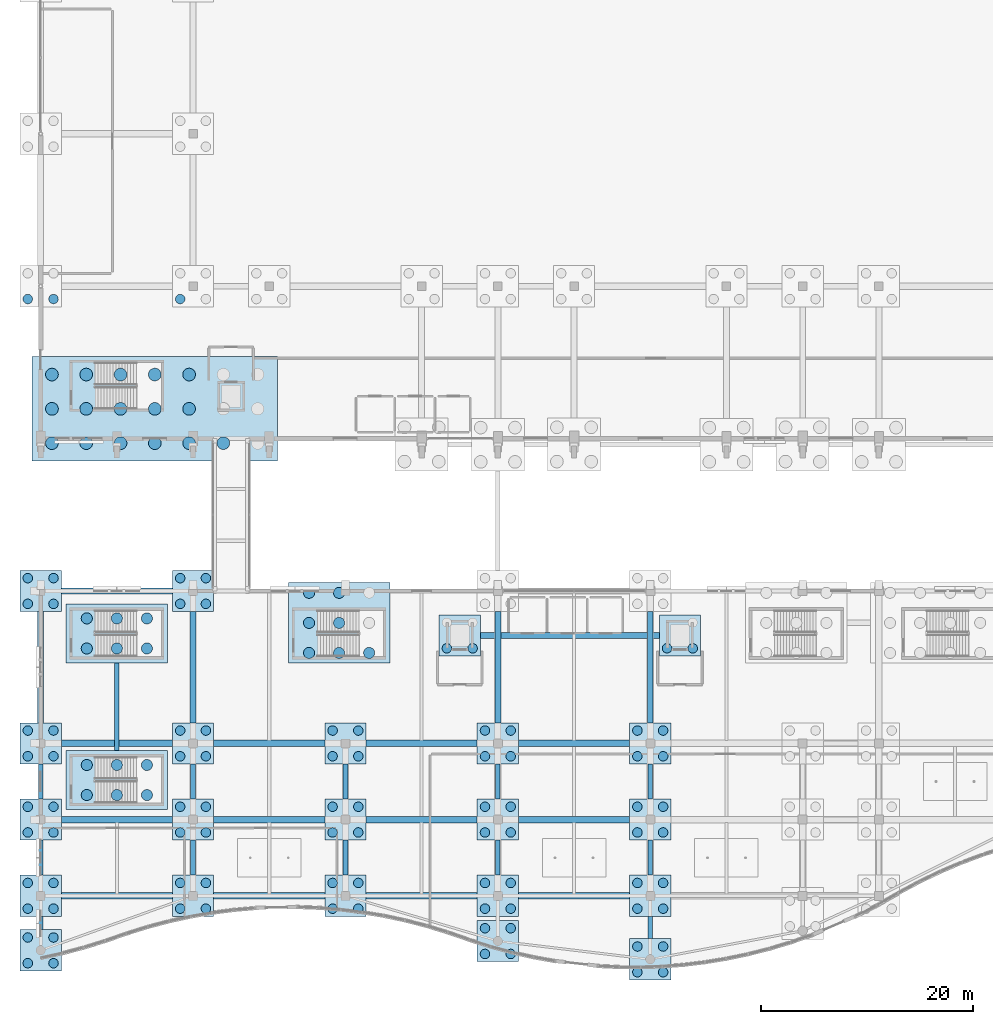
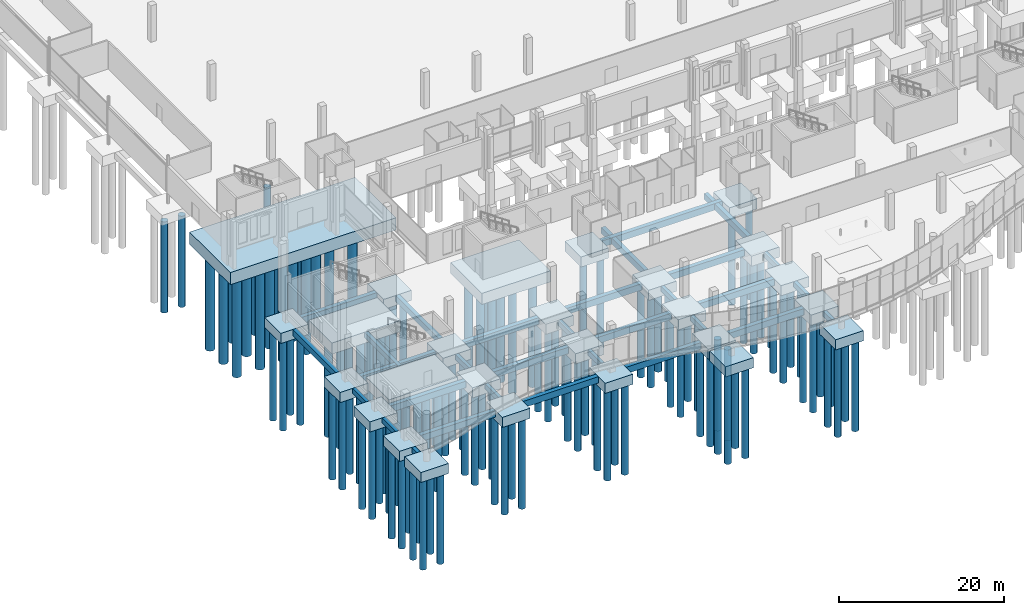
# One storey, part 1 of 192: 122 piles, 57 footings.
"""IFC4 building model written with IfcOpenShell, lengths in metres."""

from ifc_helpers import new_model, si_unit, direction, frame, origin, origin_2d, place, context, subcontext, project, spatial, rectangle, circle, extrude, material, material_profile, profile_set, type_object, element, save


model = new_model("IFC4")

# Units and contexts
model_context = context("Model", 3, precision=1e-05, world=origin(), true_north=direction((0.0, 1.0)))
body_context = subcontext(model_context, "Body", "Model", "MODEL_VIEW")
ifc_project = project(units=[si_unit("LENGTHUNIT", "METRE"), si_unit("AREAUNIT", "SQUARE_METRE"), si_unit("VOLUMEUNIT", "CUBIC_METRE"), si_unit("PLANEANGLEUNIT", "RADIAN"), si_unit("MASSUNIT", "GRAM", prefix="KILO")], contexts=[model_context])

# Site, building, storey
site_placement = place(None, origin())
site = spatial("IfcSite", under=ifc_project, at=site_placement, CompositionType="ELEMENT")
building_placement = place(site_placement, origin())
building = spatial("IfcBuilding", under=site, at=building_placement, Name="Cendralis Lancet Convention Centre", CompositionType="ELEMENT")
storey_placement = place(building_placement, origin())
storey = spatial("IfcBuildingStorey", under=building, at=storey_placement, Name="L00", CompositionType="ELEMENT", Elevation=0.0)

# Footings
ifc_material = material(Name="Concrete G35 (C35/45)", Category="concrete")
footing_type_1 = type_object("IfcFootingType", Name="STR-FT-PC04", PredefinedType="PILE_CAP", material=ifc_material)
for number, where, z_axis, x_axis, name in (
    (1, (0.0, 2.04541015625, -3.14990234375), (0.0, 0.0, 1.0), (1.0, 0.0, 0.0), "Pile Cap PC-04 #041"),
    (2, (0.0, 7.199951171875, -3.14990234375), (0.0, 0.0, 1.0), (1.0, 0.0, 0.0), "Pile Cap PC-04 #042"),
    (3, (0.0, 14.39990234375, -3.14990234375), (0.0, 0.0, 1.0), (1.0, 0.0, 0.0), "Pile Cap PC-04 #043"),
    (4, (0.0, 21.60009765625, -3.14990234375), (0.0, 0.0, 1.0), (1.0, 0.0, 0.0), "Pile Cap PC-04 #044"),
    (5, (0.0, 36.0, -3.14990234375), (0.0, 0.0, 1.0), (1.0, 0.0, 0.0), "Pile Cap PC-04 #045"),
    (6, (14.39990234375, 7.199951171875, -3.14990234375), (0.0, 0.0, 1.0), (1.0, 0.0, 0.0), "Pile Cap PC-04 #055"),
    (7, (14.39990234375, 14.39990234375, -3.14990234375), (0.0, 0.0, 1.0), (1.0, 0.0, 0.0), "Pile Cap PC-04 #056"),
    (8, (14.39990234375, 21.60009765625, -3.14990234375), (0.0, 0.0, 1.0), (1.0, 0.0, 0.0), "Pile Cap PC-04 #057"),
    (9, (14.39990234375, 36.0, -3.14990234375), (0.0, 0.0, 1.0), (1.0, 0.0, 0.0), "Pile Cap PC-04 #058"),
    (10, (28.800048828125, 7.199951171875, -3.14990234375), (0.0, 0.0, 1.0), (1.0, 0.0, 0.0), "Pile Cap PC-04 #067"),
    (11, (28.800048828125, 14.39990234375, -3.14990234375), (0.0, 0.0, 1.0), (1.0, 0.0, 0.0), "Pile Cap PC-04 #068"),
    (12, (28.800048828125, 21.60009765625, -3.14990234375), (0.0, 0.0, 1.0), (1.0, 0.0, 0.0), "Pile Cap PC-04 #069"),
    (13, (39.60009765625, 31.800048828125, -3.14990234375), (0.0, 0.0, 1.0), (1.0, 0.0, 0.0), "Pile Cap PC-04 #074"),
    (14, (43.199951171875, 2.921630859375, -3.14990234375), (0.0, 0.0, 1.0), (1.0, 0.0, 0.0), "Pile Cap PC-04 #075"),
    (15, (43.199951171875, 7.199951171875, -3.14990234375), (0.0, 0.0, 1.0), (1.0, 0.0, 0.0), "Pile Cap PC-04 #076"),
    (16, (43.199951171875, 14.39990234375, -3.14990234375), (0.0, 0.0, 1.0), (1.0, 0.0, 0.0), "Pile Cap PC-04 #077"),
    (17, (43.199951171875, 21.60009765625, -3.14990234375), (0.0, 0.0, 1.0), (1.0, 0.0, 0.0), "Pile Cap PC-04 #078"),
    (18, (57.60009765625, 1.195068359375, -3.14990234375), (0.0, 0.0, 1.0), (1.0, 0.0, 0.0), "Pile Cap PC-04 #087"),
    (19, (57.60009765625, 7.199951171875, -3.14990234375), (0.0, 0.0, 1.0), (1.0, 0.0, 0.0), "Pile Cap PC-04 #088"),
    (20, (57.60009765625, 14.39990234375, -3.14990234375), (0.0, 0.0, 1.0), (1.0, 0.0, 0.0), "Pile Cap PC-04 #089"),
    (21, (57.60009765625, 21.60009765625, -3.14990234375), (0.0, 0.0, 1.0), (1.0, 0.0, 0.0), "Pile Cap PC-04 #090"),
    (22, (60.39990234375, 31.800048828125, -3.14990234375), (0.0, 0.0, 1.0), (1.0, 0.0, 0.0), "Pile Cap PC-04 #092"),
):
    element("IfcFooting", number, at=place(storey_placement, frame(where, z_axis=z_axis, x_axis=x_axis)), inside=storey, type_object=footing_type_1, Name=name, PredefinedType="PILE_CAP", context=body_context, shape_type="SweptSolid", body=[
        extrude(rectangle(XDim=3.89990234375, YDim=3.89990234375, at=origin_2d()), origin(), (0.0, 0.0, 1.0), 1.5),
    ])
footing_type_2 = type_object("IfcFootingType", Name="STR-FT-PC12", PredefinedType="PILE_CAP", material=ifc_material)
for number, where, z_axis, x_axis, name in (
    (23, (7.199951171875, 18.139892578125, -3.300048828125), (0.0, 0.0, 1.0), (1.0, 0.0, 0.0), "Pile Cap PC-12 #051"),
    (24, (7.199951171875, 31.989990234375, -3.300048828125), (0.0, 0.0, 1.0), (1.0, 0.0, 0.0), "Pile Cap PC-12 #052"),
):
    element("IfcFooting", number, at=place(storey_placement, frame(where, z_axis=z_axis, x_axis=x_axis)), inside=storey, type_object=footing_type_2, Name=name, PredefinedType="PILE_CAP", context=body_context, shape_type="SweptSolid", body=[
        extrude(rectangle(XDim=9.60009765625, YDim=5.60009765625, at=origin_2d()), origin(), (0.0, 0.0, 1.0), 1.64990234375),
    ])
footing_type_3 = type_object("IfcFootingType", Name="STR-FT-PC13", PredefinedType="PILE_CAP", material=ifc_material)
footing_1_placement = place(storey_placement, frame((10.78759765625, 53.2099609375, -3.4501953125), z_axis=(0.0, 0.0, 1.0), x_axis=(1.0, 0.0, 0.0)))
element("IfcFooting", 25, at=footing_1_placement, inside=storey, type_object=footing_type_3, Name="Pile Cap PC-13 #053", PredefinedType="PILE_CAP", context=body_context, shape_type="SweptSolid", body=[
    extrude(rectangle(XDim=23.199951171875, YDim=9.89990234375, at=origin_2d()), origin(), (0.0, 0.0, 1.0), 1.800048828125),
])
footing_type_4 = type_object("IfcFootingType", Name="STR-FT-PC15", PredefinedType="PILE_CAP", material=ifc_material)
footing_2_placement = place(storey_placement, frame((28.199951171875, 32.987548828125, -3.300048828125), z_axis=(0.0, 0.0, 1.0), x_axis=(1.0, 0.0, 0.0)))
element("IfcFooting", 26, at=footing_2_placement, inside=storey, type_object=footing_type_4, Name="Pile Cap PC-15 #066", PredefinedType="PILE_CAP", context=body_context, shape_type="SweptSolid", body=[
    extrude(rectangle(XDim=9.60009765625, YDim=7.60009765625, at=origin_2d()), origin(), (0.0, 0.0, 1.0), 1.64990234375),
])
ifc_material_profile_1 = material_profile(ifc_material, rectangle(XDim=0.60009765625, YDim=0.949951171875, at=origin_2d()), Name="RCB 600x950")
ifc_profile_set_1 = profile_set([ifc_material_profile_1], Name="Concrete G35 (C35/45)")
footing_type_5 = type_object("IfcFootingType", Name="STR-GB-GB01", PredefinedType="FOOTING_BEAM", material=ifc_profile_set_1)
for number, where, z_axis, x_axis, name in (
    (27, (1.949951171875, 7.199951171875, -2.125), (1.0, 0.0, 0.0), (0.0, 1.0, 0.0), "Ground Tie Beam GB01 X-031"),
    (28, (16.35009765625, 7.199951171875, -2.125), (1.0, 0.0, 0.0), (0.0, 1.0, 0.0), "Ground Tie Beam GB01 X-032"),
    (29, (30.75, 7.199951171875, -2.125), (1.0, 0.0, 0.0), (0.0, 1.0, 0.0), "Ground Tie Beam GB01 X-033"),
    (30, (45.14990234375, 7.199951171875, -2.125), (1.0, 0.0, 0.0), (0.0, 1.0, 0.0), "Ground Tie Beam GB01 X-034"),
    (31, (1.949951171875, 14.39990234375, -2.125), (1.0, 0.0, 0.0), (0.0, 1.0, 0.0), "Ground Tie Beam GB01 X-036"),
    (32, (16.35009765625, 14.39990234375, -2.125), (1.0, 0.0, 0.0), (0.0, 1.0, 0.0), "Ground Tie Beam GB01 X-037"),
    (33, (30.75, 14.39990234375, -2.125), (1.0, 0.0, 0.0), (0.0, 1.0, 0.0), "Ground Tie Beam GB01 X-038"),
    (34, (45.14990234375, 14.39990234375, -2.125), (1.0, 0.0, 0.0), (0.0, 1.0, 0.0), "Ground Tie Beam GB01 X-039"),
    (35, (1.949951171875, 21.60009765625, -2.125), (1.0, 0.0, 0.0), (0.0, 1.0, 0.0), "Ground Tie Beam GB01 X-042"),
    (36, (16.35009765625, 21.60009765625, -2.125), (1.0, 0.0, 0.0), (0.0, 1.0, 0.0), "Ground Tie Beam GB01 X-043"),
    (37, (30.75, 21.60009765625, -2.125), (1.0, 0.0, 0.0), (0.0, 1.0, 0.0), "Ground Tie Beam GB01 X-044"),
    (38, (45.14990234375, 21.60009765625, -2.125), (1.0, 0.0, 0.0), (0.0, 1.0, 0.0), "Ground Tie Beam GB01 X-045"),
):
    element("IfcFooting", number, at=place(storey_placement, frame(where, z_axis=z_axis, x_axis=x_axis)), inside=storey, type_object=footing_type_5, Name=name, PredefinedType="FOOTING_BEAM", context=body_context, shape_type="SweptSolid", body=[
        extrude(rectangle(XDim=0.60009765625, YDim=0.949951171875, at=origin_2d()), origin(), (0.0, 0.0, 1.0), 10.5),
    ])
footing_3_placement = place(storey_placement, frame((41.550048828125, 31.800048828125, -2.125), z_axis=(1.0, 0.0, 0.0), x_axis=(0.0, 1.0, 0.0)))
element("IfcFooting", 39, at=footing_3_placement, inside=storey, type_object=footing_type_5, Name="Ground Tie Beam GB01 X-052", PredefinedType="FOOTING_BEAM", context=body_context, shape_type="SweptSolid", body=[
    extrude(rectangle(XDim=0.60009765625, YDim=0.949951171875, at=origin_2d()), origin(), (0.0, 0.0, 1.0), 16.89990234375),
])
footing_4_placement = place(storey_placement, frame((1.949951171875, 36.0, -2.125), z_axis=(1.0, 0.0, 0.0), x_axis=(0.0, 1.0, 0.0)))
element("IfcFooting", 40, at=footing_4_placement, inside=storey, type_object=footing_type_5, Name="Ground Tie Beam GB01 X-055", PredefinedType="FOOTING_BEAM", context=body_context, shape_type="SweptSolid", body=[
    extrude(rectangle(XDim=0.60009765625, YDim=0.949951171875, at=origin_2d()), origin(), (0.0, 0.0, 1.0), 10.5),
])
ifc_material_profile_2 = material_profile(ifc_material, rectangle(XDim=0.550048828125, YDim=0.89990234375, at=origin_2d()), Name="RCB 550x900")
ifc_profile_set_2 = profile_set([ifc_material_profile_2], Name="Concrete G35 (C35/45)")
footing_type_6 = type_object("IfcFootingType", Name="STR-GB-GB02", PredefinedType="FOOTING_BEAM", material=ifc_profile_set_2)
for number, where, z_axis, x_axis, name in (
    (41, (0.0, 23.550048828125, -2.10009765625), (0.0, 1.0, 0.0), (-1.0, 0.0, 0.0), "Ground Tie Beam GB02 Y-157"),
    (42, (14.39990234375, 23.550048828125, -2.10009765625), (0.0, 1.0, 0.0), (-1.0, 0.0, 0.0), "Ground Tie Beam GB02 Y-165"),
    (43, (43.199951171875, 23.550048828125, -2.10009765625), (0.0, 1.0, 0.0), (-1.0, 0.0, 0.0), "Ground Tie Beam GB02 Y-176"),
    (44, (57.60009765625, 23.550048828125, -2.10009765625), (0.0, 1.0, 0.0), (-1.0, 0.0, 0.0), "Ground Tie Beam GB02 Y-183"),
):
    element("IfcFooting", number, at=place(storey_placement, frame(where, z_axis=z_axis, x_axis=x_axis)), inside=storey, type_object=footing_type_6, Name=name, PredefinedType="FOOTING_BEAM", context=body_context, shape_type="SweptSolid", body=[
        extrude(rectangle(XDim=0.550048828125, YDim=0.89990234375, at=origin_2d()), origin(), (0.0, 0.0, 1.0), 10.5),
    ])
ifc_material_profile_3 = material_profile(ifc_material, rectangle(XDim=0.449951171875, YDim=0.75, at=origin_2d()), Name="RCB 450x750")
ifc_profile_set_3 = profile_set([ifc_material_profile_3], Name="Concrete G35 (C35/45)")
footing_type_7 = type_object("IfcFootingType", Name="STR-GB-GB04", PredefinedType="FOOTING_BEAM", material=ifc_profile_set_3)
footing_5_placement = place(storey_placement, frame((0.0, 3.995361328125, -2.02490234375), z_axis=(0.0, 1.0, 0.0), x_axis=(-1.0, 0.0, 0.0)))
element("IfcFooting", 45, at=footing_5_placement, inside=storey, type_object=footing_type_7, Name="Ground Tie Beam GB04 Y-154", PredefinedType="FOOTING_BEAM", context=body_context, shape_type="SweptSolid", body=[
    extrude(rectangle(XDim=0.449951171875, YDim=0.75, at=origin_2d()), origin(), (0.0, 0.0, 1.0), 1.254638671875),
])
footing_6_placement = place(storey_placement, frame((0.0, 9.14990234375, -2.02490234375), z_axis=(0.0, 1.0, 0.0), x_axis=(-1.0, 0.0, 0.0)))
element("IfcFooting", 46, at=footing_6_placement, inside=storey, type_object=footing_type_7, Name="Ground Tie Beam GB04 Y-155", PredefinedType="FOOTING_BEAM", context=body_context, shape_type="SweptSolid", body=[
    extrude(rectangle(XDim=0.449951171875, YDim=0.75, at=origin_2d()), origin(), (0.0, 0.0, 1.0), 3.300048828125),
])
footing_7_placement = place(storey_placement, frame((0.0, 16.35009765625, -2.02490234375), z_axis=(0.0, 1.0, 0.0), x_axis=(-1.0, 0.0, 0.0)))
element("IfcFooting", 47, at=footing_7_placement, inside=storey, type_object=footing_type_7, Name="Ground Tie Beam GB04 Y-156", PredefinedType="FOOTING_BEAM", context=body_context, shape_type="SweptSolid", body=[
    extrude(rectangle(XDim=0.449951171875, YDim=0.75, at=origin_2d()), origin(), (0.0, 0.0, 1.0), 3.2998046875),
])
footing_8_placement = place(storey_placement, frame((7.199951171875, 20.93994140625, -2.02490234375), z_axis=(0.0, 1.0, 0.0), x_axis=(-1.0, 0.0, 0.0)))
element("IfcFooting", 48, at=footing_8_placement, inside=storey, type_object=footing_type_7, Name="Ground Tie Beam GB04 Y-162", PredefinedType="FOOTING_BEAM", context=body_context, shape_type="SweptSolid", body=[
    extrude(rectangle(XDim=0.449951171875, YDim=0.75, at=origin_2d()), origin(), (0.0, 0.0, 1.0), 8.25),
])
footing_9_placement = place(storey_placement, frame((14.39990234375, 9.14990234375, -2.02490234375), z_axis=(0.0, 1.0, 0.0), x_axis=(-1.0, 0.0, 0.0)))
element("IfcFooting", 49, at=footing_9_placement, inside=storey, type_object=footing_type_7, Name="Ground Tie Beam GB04 Y-163", PredefinedType="FOOTING_BEAM", context=body_context, shape_type="SweptSolid", body=[
    extrude(rectangle(XDim=0.449951171875, YDim=0.75, at=origin_2d()), origin(), (0.0, 0.0, 1.0), 3.300048828125),
])
footing_10_placement = place(storey_placement, frame((14.39990234375, 16.35009765625, -2.02490234375), z_axis=(0.0, 1.0, 0.0), x_axis=(-1.0, 0.0, 0.0)))
element("IfcFooting", 50, at=footing_10_placement, inside=storey, type_object=footing_type_7, Name="Ground Tie Beam GB04 Y-164", PredefinedType="FOOTING_BEAM", context=body_context, shape_type="SweptSolid", body=[
    extrude(rectangle(XDim=0.449951171875, YDim=0.75, at=origin_2d()), origin(), (0.0, 0.0, 1.0), 3.2998046875),
])
footing_11_placement = place(storey_placement, frame((28.800048828125, 9.14990234375, -2.02490234375), z_axis=(0.0, 1.0, 0.0), x_axis=(-1.0, 0.0, 0.0)))
element("IfcFooting", 51, at=footing_11_placement, inside=storey, type_object=footing_type_7, Name="Ground Tie Beam GB04 Y-170", PredefinedType="FOOTING_BEAM", context=body_context, shape_type="SweptSolid", body=[
    extrude(rectangle(XDim=0.449951171875, YDim=0.75, at=origin_2d()), origin(), (0.0, 0.0, 1.0), 3.300048828125),
])
footing_12_placement = place(storey_placement, frame((28.800048828125, 16.35009765625, -2.02490234375), z_axis=(0.0, 1.0, 0.0), x_axis=(-1.0, 0.0, 0.0)))
element("IfcFooting", 52, at=footing_12_placement, inside=storey, type_object=footing_type_7, Name="Ground Tie Beam GB04 Y-171", PredefinedType="FOOTING_BEAM", context=body_context, shape_type="SweptSolid", body=[
    extrude(rectangle(XDim=0.449951171875, YDim=0.75, at=origin_2d()), origin(), (0.0, 0.0, 1.0), 3.2998046875),
])
footing_13_placement = place(storey_placement, frame((43.199951171875, 9.14990234375, -2.02490234375), z_axis=(0.0, 1.0, 0.0), x_axis=(-1.0, 0.0, 0.0)))
element("IfcFooting", 53, at=footing_13_placement, inside=storey, type_object=footing_type_7, Name="Ground Tie Beam GB04 Y-174", PredefinedType="FOOTING_BEAM", context=body_context, shape_type="SweptSolid", body=[
    extrude(rectangle(XDim=0.449951171875, YDim=0.75, at=origin_2d()), origin(), (0.0, 0.0, 1.0), 3.300048828125),
])
footing_14_placement = place(storey_placement, frame((43.199951171875, 16.35009765625, -2.02490234375), z_axis=(0.0, 1.0, 0.0), x_axis=(-1.0, 0.0, 0.0)))
element("IfcFooting", 54, at=footing_14_placement, inside=storey, type_object=footing_type_7, Name="Ground Tie Beam GB04 Y-175", PredefinedType="FOOTING_BEAM", context=body_context, shape_type="SweptSolid", body=[
    extrude(rectangle(XDim=0.449951171875, YDim=0.75, at=origin_2d()), origin(), (0.0, 0.0, 1.0), 3.2998046875),
])
footing_15_placement = place(storey_placement, frame((57.60009765625, 3.14501953125, -2.02490234375), z_axis=(0.0, 1.0, 0.0), x_axis=(-1.0, 0.0, 0.0)))
element("IfcFooting", 55, at=footing_15_placement, inside=storey, type_object=footing_type_7, Name="Ground Tie Beam GB04 Y-180", PredefinedType="FOOTING_BEAM", context=body_context, shape_type="SweptSolid", body=[
    extrude(rectangle(XDim=0.449951171875, YDim=0.75, at=origin_2d()), origin(), (0.0, 0.0, 1.0), 2.10498046875),
])
footing_16_placement = place(storey_placement, frame((57.60009765625, 9.14990234375, -2.02490234375), z_axis=(0.0, 1.0, 0.0), x_axis=(-1.0, 0.0, 0.0)))
element("IfcFooting", 56, at=footing_16_placement, inside=storey, type_object=footing_type_7, Name="Ground Tie Beam GB04 Y-181", PredefinedType="FOOTING_BEAM", context=body_context, shape_type="SweptSolid", body=[
    extrude(rectangle(XDim=0.449951171875, YDim=0.75, at=origin_2d()), origin(), (0.0, 0.0, 1.0), 3.300048828125),
])
footing_17_placement = place(storey_placement, frame((57.60009765625, 16.35009765625, -2.02490234375), z_axis=(0.0, 1.0, 0.0), x_axis=(-1.0, 0.0, 0.0)))
element("IfcFooting", 57, at=footing_17_placement, inside=storey, type_object=footing_type_7, Name="Ground Tie Beam GB04 Y-182", PredefinedType="FOOTING_BEAM", context=body_context, shape_type="SweptSolid", body=[
    extrude(rectangle(XDim=0.449951171875, YDim=0.75, at=origin_2d()), origin(), (0.0, 0.0, 1.0), 3.2998046875),
])

# Piles
ifc_material_profile_4 = material_profile(ifc_material, circle(Radius=0.52490234375, at=origin_2d()), Name="BORED PILE D1050")
ifc_profile_set_4 = profile_set([ifc_material_profile_4], Name="Concrete G35 (C35/45)")
pile_type_1 = type_object("IfcPileType", Name="STR-PL-P1050", PredefinedType="BORED", material=ifc_profile_set_4)
for number, where, z_axis, x_axis, name in (
    (58, (4.360107421875, 16.719970703125, -3.14990234375), (0.0, 0.0, -1.0), (1.0, 0.0, 0.0), "Bored Pile P-1050 FT2-PC-12-051-P1"),
    (59, (4.360107421875, 19.56005859375, -3.14990234375), (0.0, 0.0, -1.0), (1.0, 0.0, 0.0), "Bored Pile P-1050 FT2-PC-12-051-P2"),
    (60, (7.199951171875, 16.719970703125, -3.14990234375), (0.0, 0.0, -1.0), (1.0, 0.0, 0.0), "Bored Pile P-1050 FT2-PC-12-051-P3"),
    (61, (7.199951171875, 19.56005859375, -3.14990234375), (0.0, 0.0, -1.0), (1.0, 0.0, 0.0), "Bored Pile P-1050 FT2-PC-12-051-P4"),
    (62, (10.0400390625, 16.719970703125, -3.14990234375), (0.0, 0.0, -1.0), (1.0, 0.0, 0.0), "Bored Pile P-1050 FT2-PC-12-051-P5"),
    (63, (10.0400390625, 19.56005859375, -3.14990234375), (0.0, 0.0, -1.0), (1.0, 0.0, 0.0), "Bored Pile P-1050 FT2-PC-12-051-P6"),
    (64, (4.360107421875, 30.570068359375, -3.14990234375), (0.0, 0.0, -1.0), (1.0, 0.0, 0.0), "Bored Pile P-1050 FT2-PC-12-052-P1"),
    (65, (4.360107421875, 33.409912109375, -3.14990234375), (0.0, 0.0, -1.0), (1.0, 0.0, 0.0), "Bored Pile P-1050 FT2-PC-12-052-P2"),
    (66, (7.199951171875, 30.570068359375, -3.14990234375), (0.0, 0.0, -1.0), (1.0, 0.0, 0.0), "Bored Pile P-1050 FT2-PC-12-052-P3"),
    (67, (7.199951171875, 33.409912109375, -3.14990234375), (0.0, 0.0, -1.0), (1.0, 0.0, 0.0), "Bored Pile P-1050 FT2-PC-12-052-P4"),
    (68, (10.0400390625, 30.570068359375, -3.14990234375), (0.0, 0.0, -1.0), (1.0, 0.0, 0.0), "Bored Pile P-1050 FT2-PC-12-052-P5"),
    (69, (10.0400390625, 33.409912109375, -3.14990234375), (0.0, 0.0, -1.0), (1.0, 0.0, 0.0), "Bored Pile P-1050 FT2-PC-12-052-P6"),
    (70, (25.360107421875, 30.1474609375, -3.14990234375), (0.0, 0.0, -1.0), (1.0, 0.0, 0.0), "Bored Pile P-1050 FT2-PC-15-066-P1"),
    (71, (25.360107421875, 32.987548828125, -3.14990234375), (0.0, 0.0, -1.0), (1.0, 0.0, 0.0), "Bored Pile P-1050 FT2-PC-15-066-P2"),
    (72, (25.360107421875, 35.827392578125, -3.14990234375), (0.0, 0.0, -1.0), (1.0, 0.0, 0.0), "Bored Pile P-1050 FT2-PC-15-066-P3"),
    (73, (28.199951171875, 30.1474609375, -3.14990234375), (0.0, 0.0, -1.0), (1.0, 0.0, 0.0), "Bored Pile P-1050 FT2-PC-15-066-P4"),
    (74, (28.199951171875, 32.987548828125, -3.14990234375), (0.0, 0.0, -1.0), (1.0, 0.0, 0.0), "Bored Pile P-1050 FT2-PC-15-066-P5"),
    (75, (28.199951171875, 35.827392578125, -3.14990234375), (0.0, 0.0, -1.0), (1.0, 0.0, 0.0), "Bored Pile P-1050 FT2-PC-15-066-P6"),
    (76, (31.0400390625, 30.1474609375, -3.14990234375), (0.0, 0.0, -1.0), (1.0, 0.0, 0.0), "Bored Pile P-1050 FT2-PC-15-066-P7"),
):
    element("IfcPile", number, at=place(storey_placement, frame(where, z_axis=z_axis, x_axis=x_axis)), inside=storey, type_object=pile_type_1, Name=name, PredefinedType="BORED", context=body_context, shape_type="SweptSolid", body=[
        extrude(circle(Radius=0.52490234375, at=origin_2d()), origin(), (0.0, 0.0, 1.0), 15.35009765625),
    ])
ifc_material_profile_5 = material_profile(ifc_material, circle(Radius=0.60009765625, at=origin_2d()), Name="BORED PILE D1200")
ifc_profile_set_5 = profile_set([ifc_material_profile_5], Name="Concrete G35 (C35/45)")
pile_type_2 = type_object("IfcPileType", Name="STR-PL-P1200", PredefinedType="BORED", material=ifc_profile_set_5)
for number, where, z_axis, x_axis, name in (
    (77, (1.0673828125, 49.969970703125, -3.300048828125), (0.0, 0.0, -1.0), (1.0, 0.0, 0.0), "Bored Pile P-1200 FT2-PC-13-053-P1"),
    (78, (1.0673828125, 53.2099609375, -3.300048828125), (0.0, 0.0, -1.0), (1.0, 0.0, 0.0), "Bored Pile P-1200 FT2-PC-13-053-P2"),
    (79, (1.0673828125, 56.449951171875, -3.300048828125), (0.0, 0.0, -1.0), (1.0, 0.0, 0.0), "Bored Pile P-1200 FT2-PC-13-053-P3"),
    (80, (4.3076171875, 49.969970703125, -3.300048828125), (0.0, 0.0, -1.0), (1.0, 0.0, 0.0), "Bored Pile P-1200 FT2-PC-13-053-P4"),
    (81, (4.3076171875, 53.2099609375, -3.300048828125), (0.0, 0.0, -1.0), (1.0, 0.0, 0.0), "Bored Pile P-1200 FT2-PC-13-053-P5"),
    (82, (4.3076171875, 56.449951171875, -3.300048828125), (0.0, 0.0, -1.0), (1.0, 0.0, 0.0), "Bored Pile P-1200 FT2-PC-13-053-P6"),
    (83, (7.547607421875, 49.969970703125, -3.300048828125), (0.0, 0.0, -1.0), (1.0, 0.0, 0.0), "Bored Pile P-1200 FT2-PC-13-053-P7"),
    (84, (7.547607421875, 53.2099609375, -3.300048828125), (0.0, 0.0, -1.0), (1.0, 0.0, 0.0), "Bored Pile P-1200 FT2-PC-13-053-P8"),
    (85, (7.547607421875, 56.449951171875, -3.300048828125), (0.0, 0.0, -1.0), (1.0, 0.0, 0.0), "Bored Pile P-1200 FT2-PC-13-053-P9"),
    (86, (10.78759765625, 49.969970703125, -3.300048828125), (0.0, 0.0, -1.0), (1.0, 0.0, 0.0), "Bored Pile P-1200 FT2-PC-13-053-P10"),
    (87, (10.78759765625, 53.2099609375, -3.300048828125), (0.0, 0.0, -1.0), (1.0, 0.0, 0.0), "Bored Pile P-1200 FT2-PC-13-053-P11"),
    (88, (10.78759765625, 56.449951171875, -3.300048828125), (0.0, 0.0, -1.0), (1.0, 0.0, 0.0), "Bored Pile P-1200 FT2-PC-13-053-P12"),
    (89, (14.027587890625, 49.969970703125, -3.300048828125), (0.0, 0.0, -1.0), (1.0, 0.0, 0.0), "Bored Pile P-1200 FT2-PC-13-053-P13"),
    (90, (14.027587890625, 53.2099609375, -3.300048828125), (0.0, 0.0, -1.0), (1.0, 0.0, 0.0), "Bored Pile P-1200 FT2-PC-13-053-P14"),
    (91, (14.027587890625, 56.449951171875, -3.300048828125), (0.0, 0.0, -1.0), (1.0, 0.0, 0.0), "Bored Pile P-1200 FT2-PC-13-053-P15"),
    (92, (17.267578125, 49.969970703125, -3.300048828125), (0.0, 0.0, -1.0), (1.0, 0.0, 0.0), "Bored Pile P-1200 FT2-PC-13-053-P16"),
):
    element("IfcPile", number, at=place(storey_placement, frame(where, z_axis=z_axis, x_axis=x_axis)), inside=storey, type_object=pile_type_2, Name=name, PredefinedType="BORED", context=body_context, shape_type="SweptSolid", body=[
        extrude(circle(Radius=0.60009765625, at=origin_2d()), origin(), (0.0, 0.0, 1.0), 15.199951171875),
    ])
ifc_material_profile_6 = material_profile(ifc_material, circle(Radius=0.449951171875, at=origin_2d()), Name="BORED PILE D900")
ifc_profile_set_6 = profile_set([ifc_material_profile_6], Name="Concrete G35 (C35/45)")
pile_type_3 = type_object("IfcPileType", Name="STR-PL-P900", PredefinedType="BORED", material=ifc_profile_set_6)
for number, where, z_axis, x_axis, name in (
    (93, (-1.215087890625, 0.830322265625, -3.0), (0.0, 0.0, -1.0), (1.0, 0.0, 0.0), "Bored Pile P-900 FT2-PC-04-041-P1"),
    (94, (-1.215087890625, 3.260498046875, -3.0), (0.0, 0.0, -1.0), (1.0, 0.0, 0.0), "Bored Pile P-900 FT2-PC-04-041-P2"),
    (95, (1.215087890625, 0.830322265625, -3.0), (0.0, 0.0, -1.0), (1.0, 0.0, 0.0), "Bored Pile P-900 FT2-PC-04-041-P3"),
    (96, (1.215087890625, 3.260498046875, -3.0), (0.0, 0.0, -1.0), (1.0, 0.0, 0.0), "Bored Pile P-900 FT2-PC-04-041-P4"),
    (97, (-1.215087890625, 5.985107421875, -3.0), (0.0, 0.0, -1.0), (1.0, 0.0, 0.0), "Bored Pile P-900 FT2-PC-04-042-P1"),
    (98, (-1.215087890625, 8.4150390625, -3.0), (0.0, 0.0, -1.0), (1.0, 0.0, 0.0), "Bored Pile P-900 FT2-PC-04-042-P2"),
    (99, (1.215087890625, 5.985107421875, -3.0), (0.0, 0.0, -1.0), (1.0, 0.0, 0.0), "Bored Pile P-900 FT2-PC-04-042-P3"),
    (100, (1.215087890625, 8.4150390625, -3.0), (0.0, 0.0, -1.0), (1.0, 0.0, 0.0), "Bored Pile P-900 FT2-PC-04-042-P4"),
    (101, (-1.215087890625, 13.18505859375, -3.0), (0.0, 0.0, -1.0), (1.0, 0.0, 0.0), "Bored Pile P-900 FT2-PC-04-043-P1"),
    (102, (-1.215087890625, 15.614990234375, -3.0), (0.0, 0.0, -1.0), (1.0, 0.0, 0.0), "Bored Pile P-900 FT2-PC-04-043-P2"),
    (103, (1.215087890625, 13.18505859375, -3.0), (0.0, 0.0, -1.0), (1.0, 0.0, 0.0), "Bored Pile P-900 FT2-PC-04-043-P3"),
    (104, (1.215087890625, 15.614990234375, -3.0), (0.0, 0.0, -1.0), (1.0, 0.0, 0.0), "Bored Pile P-900 FT2-PC-04-043-P4"),
    (105, (-1.215087890625, 20.385009765625, -3.0), (0.0, 0.0, -1.0), (1.0, 0.0, 0.0), "Bored Pile P-900 FT2-PC-04-044-P1"),
    (106, (-1.215087890625, 22.81494140625, -3.0), (0.0, 0.0, -1.0), (1.0, 0.0, 0.0), "Bored Pile P-900 FT2-PC-04-044-P2"),
    (107, (1.215087890625, 20.385009765625, -3.0), (0.0, 0.0, -1.0), (1.0, 0.0, 0.0), "Bored Pile P-900 FT2-PC-04-044-P3"),
    (108, (1.215087890625, 22.81494140625, -3.0), (0.0, 0.0, -1.0), (1.0, 0.0, 0.0), "Bored Pile P-900 FT2-PC-04-044-P4"),
    (109, (-1.215087890625, 34.784912109375, -3.0), (0.0, 0.0, -1.0), (1.0, 0.0, 0.0), "Bored Pile P-900 FT2-PC-04-045-P1"),
    (110, (-1.215087890625, 37.215087890625, -3.0), (0.0, 0.0, -1.0), (1.0, 0.0, 0.0), "Bored Pile P-900 FT2-PC-04-045-P2"),
    (111, (1.215087890625, 34.784912109375, -3.0), (0.0, 0.0, -1.0), (1.0, 0.0, 0.0), "Bored Pile P-900 FT2-PC-04-045-P3"),
    (112, (1.215087890625, 37.215087890625, -3.0), (0.0, 0.0, -1.0), (1.0, 0.0, 0.0), "Bored Pile P-900 FT2-PC-04-045-P4"),
    (113, (-1.215087890625, 63.5849609375, -3.0), (0.0, 0.0, -1.0), (1.0, 0.0, 0.0), "Bored Pile P-900 FT2-PC-04-046-P1"),
    (114, (1.215087890625, 63.5849609375, -3.0), (0.0, 0.0, -1.0), (1.0, 0.0, 0.0), "Bored Pile P-900 FT2-PC-04-046-P3"),
    (115, (13.18505859375, 5.985107421875, -3.0), (0.0, 0.0, -1.0), (1.0, 0.0, 0.0), "Bored Pile P-900 FT2-PC-04-055-P1"),
    (116, (13.18505859375, 8.4150390625, -3.0), (0.0, 0.0, -1.0), (1.0, 0.0, 0.0), "Bored Pile P-900 FT2-PC-04-055-P2"),
    (117, (15.614990234375, 5.985107421875, -3.0), (0.0, 0.0, -1.0), (1.0, 0.0, 0.0), "Bored Pile P-900 FT2-PC-04-055-P3"),
    (118, (15.614990234375, 8.4150390625, -3.0), (0.0, 0.0, -1.0), (1.0, 0.0, 0.0), "Bored Pile P-900 FT2-PC-04-055-P4"),
    (119, (13.18505859375, 13.18505859375, -3.0), (0.0, 0.0, -1.0), (1.0, 0.0, 0.0), "Bored Pile P-900 FT2-PC-04-056-P1"),
    (120, (13.18505859375, 15.614990234375, -3.0), (0.0, 0.0, -1.0), (1.0, 0.0, 0.0), "Bored Pile P-900 FT2-PC-04-056-P2"),
    (121, (15.614990234375, 13.18505859375, -3.0), (0.0, 0.0, -1.0), (1.0, 0.0, 0.0), "Bored Pile P-900 FT2-PC-04-056-P3"),
    (122, (15.614990234375, 15.614990234375, -3.0), (0.0, 0.0, -1.0), (1.0, 0.0, 0.0), "Bored Pile P-900 FT2-PC-04-056-P4"),
    (123, (13.18505859375, 20.385009765625, -3.0), (0.0, 0.0, -1.0), (1.0, 0.0, 0.0), "Bored Pile P-900 FT2-PC-04-057-P1"),
    (124, (13.18505859375, 22.81494140625, -3.0), (0.0, 0.0, -1.0), (1.0, 0.0, 0.0), "Bored Pile P-900 FT2-PC-04-057-P2"),
    (125, (15.614990234375, 20.385009765625, -3.0), (0.0, 0.0, -1.0), (1.0, 0.0, 0.0), "Bored Pile P-900 FT2-PC-04-057-P3"),
    (126, (15.614990234375, 22.81494140625, -3.0), (0.0, 0.0, -1.0), (1.0, 0.0, 0.0), "Bored Pile P-900 FT2-PC-04-057-P4"),
    (127, (13.18505859375, 34.784912109375, -3.0), (0.0, 0.0, -1.0), (1.0, 0.0, 0.0), "Bored Pile P-900 FT2-PC-04-058-P1"),
    (128, (13.18505859375, 37.215087890625, -3.0), (0.0, 0.0, -1.0), (1.0, 0.0, 0.0), "Bored Pile P-900 FT2-PC-04-058-P2"),
    (129, (15.614990234375, 34.784912109375, -3.0), (0.0, 0.0, -1.0), (1.0, 0.0, 0.0), "Bored Pile P-900 FT2-PC-04-058-P3"),
    (130, (15.614990234375, 37.215087890625, -3.0), (0.0, 0.0, -1.0), (1.0, 0.0, 0.0), "Bored Pile P-900 FT2-PC-04-058-P4"),
    (131, (13.18505859375, 63.5849609375, -3.0), (0.0, 0.0, -1.0), (1.0, 0.0, 0.0), "Bored Pile P-900 FT2-PC-04-059-P1"),
    (132, (27.5849609375, 5.985107421875, -3.0), (0.0, 0.0, -1.0), (1.0, 0.0, 0.0), "Bored Pile P-900 FT2-PC-04-067-P1"),
    (133, (27.5849609375, 8.4150390625, -3.0), (0.0, 0.0, -1.0), (1.0, 0.0, 0.0), "Bored Pile P-900 FT2-PC-04-067-P2"),
    (134, (30.014892578125, 5.985107421875, -3.0), (0.0, 0.0, -1.0), (1.0, 0.0, 0.0), "Bored Pile P-900 FT2-PC-04-067-P3"),
    (135, (30.014892578125, 8.4150390625, -3.0), (0.0, 0.0, -1.0), (1.0, 0.0, 0.0), "Bored Pile P-900 FT2-PC-04-067-P4"),
    (136, (27.5849609375, 13.18505859375, -3.0), (0.0, 0.0, -1.0), (1.0, 0.0, 0.0), "Bored Pile P-900 FT2-PC-04-068-P1"),
    (137, (27.5849609375, 15.614990234375, -3.0), (0.0, 0.0, -1.0), (1.0, 0.0, 0.0), "Bored Pile P-900 FT2-PC-04-068-P2"),
    (138, (30.014892578125, 13.18505859375, -3.0), (0.0, 0.0, -1.0), (1.0, 0.0, 0.0), "Bored Pile P-900 FT2-PC-04-068-P3"),
    (139, (30.014892578125, 15.614990234375, -3.0), (0.0, 0.0, -1.0), (1.0, 0.0, 0.0), "Bored Pile P-900 FT2-PC-04-068-P4"),
    (140, (27.5849609375, 20.385009765625, -3.0), (0.0, 0.0, -1.0), (1.0, 0.0, 0.0), "Bored Pile P-900 FT2-PC-04-069-P1"),
    (141, (27.5849609375, 22.81494140625, -3.0), (0.0, 0.0, -1.0), (1.0, 0.0, 0.0), "Bored Pile P-900 FT2-PC-04-069-P2"),
    (142, (30.014892578125, 20.385009765625, -3.0), (0.0, 0.0, -1.0), (1.0, 0.0, 0.0), "Bored Pile P-900 FT2-PC-04-069-P3"),
    (143, (30.014892578125, 22.81494140625, -3.0), (0.0, 0.0, -1.0), (1.0, 0.0, 0.0), "Bored Pile P-900 FT2-PC-04-069-P4"),
    (144, (38.385009765625, 30.5849609375, -3.0), (0.0, 0.0, -1.0), (1.0, 0.0, 0.0), "Bored Pile P-900 FT2-PC-04-074-P1"),
    (145, (40.81494140625, 30.5849609375, -3.0), (0.0, 0.0, -1.0), (1.0, 0.0, 0.0), "Bored Pile P-900 FT2-PC-04-074-P3"),
    (146, (41.985107421875, 1.70654296875, -3.0), (0.0, 0.0, -1.0), (1.0, 0.0, 0.0), "Bored Pile P-900 FT2-PC-04-075-P1"),
    (147, (41.985107421875, 4.13671875, -3.0), (0.0, 0.0, -1.0), (1.0, 0.0, 0.0), "Bored Pile P-900 FT2-PC-04-075-P2"),
    (148, (44.4150390625, 1.70654296875, -3.0), (0.0, 0.0, -1.0), (1.0, 0.0, 0.0), "Bored Pile P-900 FT2-PC-04-075-P3"),
    (149, (44.4150390625, 4.13671875, -3.0), (0.0, 0.0, -1.0), (1.0, 0.0, 0.0), "Bored Pile P-900 FT2-PC-04-075-P4"),
    (150, (41.985107421875, 5.985107421875, -3.0), (0.0, 0.0, -1.0), (1.0, 0.0, 0.0), "Bored Pile P-900 FT2-PC-04-076-P1"),
    (151, (41.985107421875, 8.4150390625, -3.0), (0.0, 0.0, -1.0), (1.0, 0.0, 0.0), "Bored Pile P-900 FT2-PC-04-076-P2"),
    (152, (44.4150390625, 5.985107421875, -3.0), (0.0, 0.0, -1.0), (1.0, 0.0, 0.0), "Bored Pile P-900 FT2-PC-04-076-P3"),
    (153, (44.4150390625, 8.4150390625, -3.0), (0.0, 0.0, -1.0), (1.0, 0.0, 0.0), "Bored Pile P-900 FT2-PC-04-076-P4"),
    (154, (41.985107421875, 13.18505859375, -3.0), (0.0, 0.0, -1.0), (1.0, 0.0, 0.0), "Bored Pile P-900 FT2-PC-04-077-P1"),
    (155, (41.985107421875, 15.614990234375, -3.0), (0.0, 0.0, -1.0), (1.0, 0.0, 0.0), "Bored Pile P-900 FT2-PC-04-077-P2"),
    (156, (44.4150390625, 13.18505859375, -3.0), (0.0, 0.0, -1.0), (1.0, 0.0, 0.0), "Bored Pile P-900 FT2-PC-04-077-P3"),
    (157, (44.4150390625, 15.614990234375, -3.0), (0.0, 0.0, -1.0), (1.0, 0.0, 0.0), "Bored Pile P-900 FT2-PC-04-077-P4"),
    (158, (41.985107421875, 20.385009765625, -3.0), (0.0, 0.0, -1.0), (1.0, 0.0, 0.0), "Bored Pile P-900 FT2-PC-04-078-P1"),
    (159, (41.985107421875, 22.81494140625, -3.0), (0.0, 0.0, -1.0), (1.0, 0.0, 0.0), "Bored Pile P-900 FT2-PC-04-078-P2"),
    (160, (44.4150390625, 20.385009765625, -3.0), (0.0, 0.0, -1.0), (1.0, 0.0, 0.0), "Bored Pile P-900 FT2-PC-04-078-P3"),
    (161, (44.4150390625, 22.81494140625, -3.0), (0.0, 0.0, -1.0), (1.0, 0.0, 0.0), "Bored Pile P-900 FT2-PC-04-078-P4"),
    (162, (56.385009765625, -0.02001953125, -3.0), (0.0, 0.0, -1.0), (1.0, 0.0, 0.0), "Bored Pile P-900 FT2-PC-04-087-P1"),
    (163, (56.385009765625, 2.41015625, -3.0), (0.0, 0.0, -1.0), (1.0, 0.0, 0.0), "Bored Pile P-900 FT2-PC-04-087-P2"),
    (164, (58.81494140625, -0.02001953125, -3.0), (0.0, 0.0, -1.0), (1.0, 0.0, 0.0), "Bored Pile P-900 FT2-PC-04-087-P3"),
    (165, (58.81494140625, 2.41015625, -3.0), (0.0, 0.0, -1.0), (1.0, 0.0, 0.0), "Bored Pile P-900 FT2-PC-04-087-P4"),
    (166, (56.385009765625, 5.985107421875, -3.0), (0.0, 0.0, -1.0), (1.0, 0.0, 0.0), "Bored Pile P-900 FT2-PC-04-088-P1"),
    (167, (56.385009765625, 8.4150390625, -3.0), (0.0, 0.0, -1.0), (1.0, 0.0, 0.0), "Bored Pile P-900 FT2-PC-04-088-P2"),
    (168, (58.81494140625, 5.985107421875, -3.0), (0.0, 0.0, -1.0), (1.0, 0.0, 0.0), "Bored Pile P-900 FT2-PC-04-088-P3"),
    (169, (58.81494140625, 8.4150390625, -3.0), (0.0, 0.0, -1.0), (1.0, 0.0, 0.0), "Bored Pile P-900 FT2-PC-04-088-P4"),
    (170, (56.385009765625, 13.18505859375, -3.0), (0.0, 0.0, -1.0), (1.0, 0.0, 0.0), "Bored Pile P-900 FT2-PC-04-089-P1"),
    (171, (56.385009765625, 15.614990234375, -3.0), (0.0, 0.0, -1.0), (1.0, 0.0, 0.0), "Bored Pile P-900 FT2-PC-04-089-P2"),
    (172, (58.81494140625, 13.18505859375, -3.0), (0.0, 0.0, -1.0), (1.0, 0.0, 0.0), "Bored Pile P-900 FT2-PC-04-089-P3"),
    (173, (58.81494140625, 15.614990234375, -3.0), (0.0, 0.0, -1.0), (1.0, 0.0, 0.0), "Bored Pile P-900 FT2-PC-04-089-P4"),
    (174, (56.385009765625, 20.385009765625, -3.0), (0.0, 0.0, -1.0), (1.0, 0.0, 0.0), "Bored Pile P-900 FT2-PC-04-090-P1"),
    (175, (56.385009765625, 22.81494140625, -3.0), (0.0, 0.0, -1.0), (1.0, 0.0, 0.0), "Bored Pile P-900 FT2-PC-04-090-P2"),
    (176, (58.81494140625, 20.385009765625, -3.0), (0.0, 0.0, -1.0), (1.0, 0.0, 0.0), "Bored Pile P-900 FT2-PC-04-090-P3"),
    (177, (58.81494140625, 22.81494140625, -3.0), (0.0, 0.0, -1.0), (1.0, 0.0, 0.0), "Bored Pile P-900 FT2-PC-04-090-P4"),
    (178, (59.18505859375, 30.5849609375, -3.0), (0.0, 0.0, -1.0), (1.0, 0.0, 0.0), "Bored Pile P-900 FT2-PC-04-092-P1"),
    (179, (61.614990234375, 30.5849609375, -3.0), (0.0, 0.0, -1.0), (1.0, 0.0, 0.0), "Bored Pile P-900 FT2-PC-04-092-P3"),
):
    element("IfcPile", number, at=place(storey_placement, frame(where, z_axis=z_axis, x_axis=x_axis)), inside=storey, type_object=pile_type_3, Name=name, PredefinedType="BORED", context=body_context, shape_type="SweptSolid", body=[
        extrude(circle(Radius=0.449951171875, at=origin_2d()), origin(), (0.0, 0.0, 1.0), 13.5),
    ])

save(model, "model.ifc")
